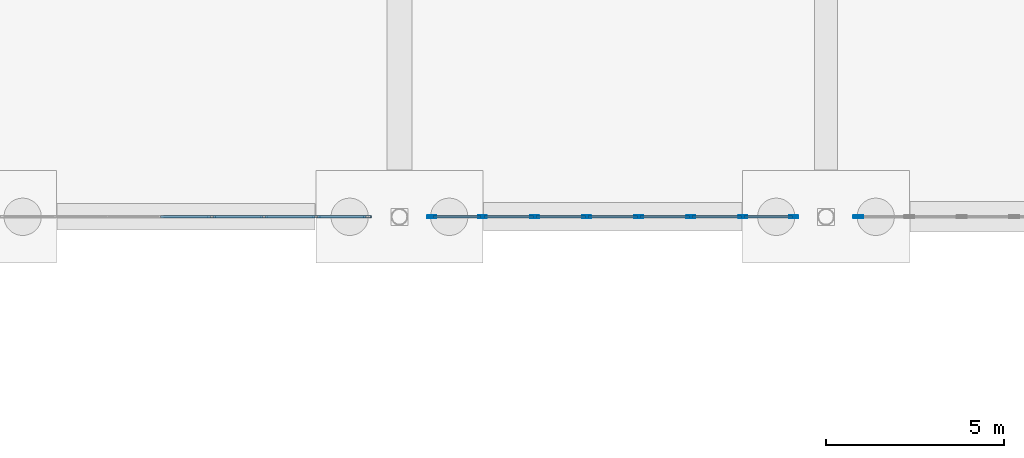
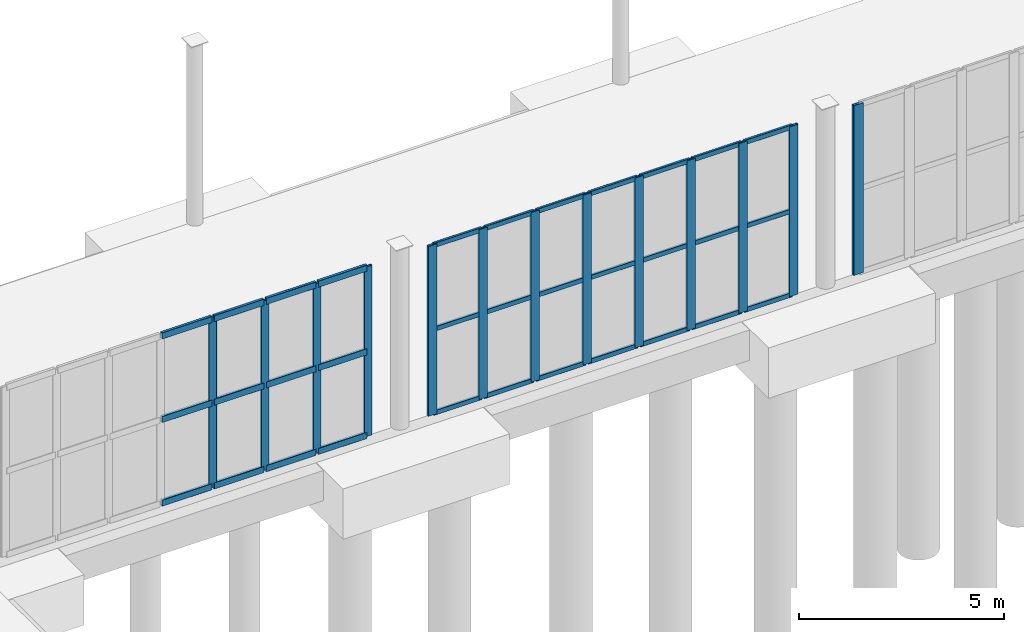
# One storey, part 33 of 70: 46 members, 3 elements without a shape of their own.
"""IFC4 building model written with IfcOpenShell, lengths in metres."""

from ifc_helpers import new_model, si_unit, direction, frame, origin, origin_2d, place, context, subcontext, project, spatial, hollow_rectangle, extrude, material, layer, layer_set, material_profile, profile_set, type_object, element, aggregate, save


model = new_model("IFC4")

# Units and contexts
model_context = context("Model", 3, precision=1e-05, world=origin(), true_north=direction((0.0, 1.0)))
body_context = subcontext(model_context, "Body", "Model", "MODEL_VIEW")
ifc_project = project(units=[si_unit("LENGTHUNIT", "METRE"), si_unit("AREAUNIT", "SQUARE_METRE"), si_unit("VOLUMEUNIT", "CUBIC_METRE"), si_unit("PLANEANGLEUNIT", "RADIAN"), si_unit("MASSUNIT", "GRAM", prefix="KILO")], contexts=[model_context])

# Site, building, storey
site_placement = place(None, origin())
site = spatial("IfcSite", under=ifc_project, at=site_placement, CompositionType="ELEMENT")
building_placement = place(site_placement, origin())
building = spatial("IfcBuilding", under=site, at=building_placement, Name="Brinegate Civic Arena", CompositionType="ELEMENT")
storey_placement = place(building_placement, origin())
storey = spatial("IfcBuildingStorey", under=building, at=storey_placement, Name="L00", CompositionType="ELEMENT", Elevation=0.0)

# Curtain wall, members
ifc_material = material(Name="Marine grade aluminium", Category="aluminium")
ifc_layer = layer(ifc_material, 0.215087890625, Name="Marine grade aluminium")
ifc_layer_set = layer_set([ifc_layer], Name="Marine grade aluminium")
curtain_wall_type = type_object("IfcCurtainWallType", Name="CW-FOYER-GLAZED-02", PredefinedType="USERDEFINED", material=ifc_layer_set)
curtain_wall_1_placement = place(storey_placement, origin())
curtain_wall_1 = element("IfcCurtainWall", 1, at=curtain_wall_1_placement, inside=storey, type_object=curtain_wall_type, Name="Curtain Wall CWA-005", ObjectType="GLAZED CURTAIN WALL", PredefinedType="USERDEFINED")
ifc_material_profile_1 = material_profile(ifc_material, hollow_rectangle(XDim=0.06494140625, YDim=0.219970703125, WallThickness=0.006103515625, InnerFilletRadius=0.00390625, OuterFilletRadius=0.008056640625, at=origin_2d()), Name="MUL65X220")
ifc_profile_set_1 = profile_set([ifc_material_profile_1], Name="Marine grade aluminium")
member_type_1 = type_object("IfcMemberType", Name="CW-MULLION-65X220", PredefinedType="MULLION", material=ifc_profile_set_1)
member_1_placement = place(storey_placement, frame((18.717041015625, 114.0, 0.0), z_axis=(0.0, 0.0, 1.0), x_axis=(0.0, 1.0, 0.0)))
member_1 = element("IfcMember", 2, at=member_1_placement, type_object=member_type_1, Name="CWA-005 mullion 5", PredefinedType="MULLION", context=body_context, shape_type="SweptSolid", body=[
    extrude(hollow_rectangle(XDim=0.06494140625, YDim=0.219970703125, WallThickness=0.006103515625, InnerFilletRadius=0.00390625, OuterFilletRadius=0.008056640625, at=origin_2d()), origin(), (0.0, 0.0, 1.0), 5.06005859375),
])
member_2_placement = place(storey_placement, frame((20.18701171875, 114.0, 0.0), z_axis=(0.0, 0.0, 1.0), x_axis=(0.0, 1.0, 0.0)))
member_2 = element("IfcMember", 3, at=member_2_placement, type_object=member_type_1, Name="CWA-005 mullion 6", PredefinedType="MULLION", context=body_context, shape_type="SweptSolid", body=[
    extrude(hollow_rectangle(XDim=0.06494140625, YDim=0.219970703125, WallThickness=0.006103515625, InnerFilletRadius=0.00390625, OuterFilletRadius=0.008056640625, at=origin_2d()), origin(), (0.0, 0.0, 1.0), 5.06005859375),
])
member_3_placement = place(storey_placement, frame((21.656982421875, 114.0, 0.0), z_axis=(0.0, 0.0, 1.0), x_axis=(0.0, 1.0, 0.0)))
member_3 = element("IfcMember", 4, at=member_3_placement, type_object=member_type_1, Name="CWA-005 mullion 7", PredefinedType="MULLION", context=body_context, shape_type="SweptSolid", body=[
    extrude(hollow_rectangle(XDim=0.06494140625, YDim=0.219970703125, WallThickness=0.006103515625, InnerFilletRadius=0.00390625, OuterFilletRadius=0.008056640625, at=origin_2d()), origin(), (0.0, 0.0, 1.0), 5.06005859375),
])
member_4_placement = place(storey_placement, frame((23.094482421875, 114.0, 0.0), z_axis=(0.0, 0.0, 1.0), x_axis=(0.0, 1.0, 0.0)))
member_4 = element("IfcMember", 5, at=member_4_placement, type_object=member_type_1, Name="CWA-005 mullion 8", PredefinedType="MULLION", context=body_context, shape_type="SweptSolid", body=[
    extrude(hollow_rectangle(XDim=0.06494140625, YDim=0.219970703125, WallThickness=0.006103515625, InnerFilletRadius=0.00390625, OuterFilletRadius=0.008056640625, at=origin_2d()), origin(), (0.0, 0.0, 1.0), 5.06005859375),
])

curtain_wall_2_placement = place(storey_placement, origin())
curtain_wall_2 = element("IfcCurtainWall", 6, at=curtain_wall_2_placement, inside=storey, type_object=curtain_wall_type, Name="Curtain Wall CWA-006", ObjectType="GLAZED CURTAIN WALL", PredefinedType="USERDEFINED")
ifc_material_profile_2 = material_profile(ifc_material, hollow_rectangle(XDim=0.074951171875, YDim=0.25, WallThickness=0.006103515625, InnerFilletRadius=0.00390625, OuterFilletRadius=0.008056640625, at=origin_2d()), Name="MUL75X250")
ifc_profile_set_2 = profile_set([ifc_material_profile_2], Name="Marine grade aluminium")
member_type_2 = type_object("IfcMemberType", Name="CW-MULLION-75X250", PredefinedType="MULLION", material=ifc_profile_set_2)
member_5_placement = place(storey_placement, frame((24.910400390625, 114.0, 0.0), z_axis=(0.0, 0.0, 1.0), x_axis=(0.0, 1.0, 0.0)))
member_5 = element("IfcMember", 7, at=member_5_placement, type_object=member_type_2, Name="CWA-006 mullion 1", PredefinedType="MULLION", context=body_context, shape_type="SweptSolid", body=[
    extrude(hollow_rectangle(XDim=0.074951171875, YDim=0.25, WallThickness=0.006103515625, InnerFilletRadius=0.00390625, OuterFilletRadius=0.008056640625, at=origin_2d()), origin(), (0.0, 0.0, 1.0), 5.06005859375),
])
member_6_placement = place(storey_placement, frame((26.337890625, 114.0, 0.0), z_axis=(0.0, 0.0, 1.0), x_axis=(0.0, 1.0, 0.0)))
member_6 = element("IfcMember", 8, at=member_6_placement, type_object=member_type_2, Name="CWA-006 mullion 2", PredefinedType="MULLION", context=body_context, shape_type="SweptSolid", body=[
    extrude(hollow_rectangle(XDim=0.074951171875, YDim=0.25, WallThickness=0.006103515625, InnerFilletRadius=0.00390625, OuterFilletRadius=0.008056640625, at=origin_2d()), origin(), (0.0, 0.0, 1.0), 5.06005859375),
])
member_7_placement = place(storey_placement, frame((27.802734375, 114.0, 0.0), z_axis=(0.0, 0.0, 1.0), x_axis=(0.0, 1.0, 0.0)))
member_7 = element("IfcMember", 9, at=member_7_placement, type_object=member_type_2, Name="CWA-006 mullion 3", PredefinedType="MULLION", context=body_context, shape_type="SweptSolid", body=[
    extrude(hollow_rectangle(XDim=0.074951171875, YDim=0.25, WallThickness=0.006103515625, InnerFilletRadius=0.00390625, OuterFilletRadius=0.008056640625, at=origin_2d()), origin(), (0.0, 0.0, 1.0), 5.06005859375),
])
member_8_placement = place(storey_placement, frame((29.267578125, 114.0, 0.0), z_axis=(0.0, 0.0, 1.0), x_axis=(0.0, 1.0, 0.0)))
member_8 = element("IfcMember", 10, at=member_8_placement, type_object=member_type_2, Name="CWA-006 mullion 4", PredefinedType="MULLION", context=body_context, shape_type="SweptSolid", body=[
    extrude(hollow_rectangle(XDim=0.074951171875, YDim=0.25, WallThickness=0.006103515625, InnerFilletRadius=0.00390625, OuterFilletRadius=0.008056640625, at=origin_2d()), origin(), (0.0, 0.0, 1.0), 5.06005859375),
])
member_9_placement = place(storey_placement, frame((30.732421875, 114.0, 0.0), z_axis=(0.0, 0.0, 1.0), x_axis=(0.0, 1.0, 0.0)))
member_9 = element("IfcMember", 11, at=member_9_placement, type_object=member_type_2, Name="CWA-006 mullion 5", PredefinedType="MULLION", context=body_context, shape_type="SweptSolid", body=[
    extrude(hollow_rectangle(XDim=0.074951171875, YDim=0.25, WallThickness=0.006103515625, InnerFilletRadius=0.00390625, OuterFilletRadius=0.008056640625, at=origin_2d()), origin(), (0.0, 0.0, 1.0), 5.06005859375),
])
member_10_placement = place(storey_placement, frame((32.197265625, 114.0, 0.0), z_axis=(0.0, 0.0, 1.0), x_axis=(0.0, 1.0, 0.0)))
member_10 = element("IfcMember", 12, at=member_10_placement, type_object=member_type_2, Name="CWA-006 mullion 6", PredefinedType="MULLION", context=body_context, shape_type="SweptSolid", body=[
    extrude(hollow_rectangle(XDim=0.074951171875, YDim=0.25, WallThickness=0.006103515625, InnerFilletRadius=0.00390625, OuterFilletRadius=0.008056640625, at=origin_2d()), origin(), (0.0, 0.0, 1.0), 5.06005859375),
])
member_11_placement = place(storey_placement, frame((33.662109375, 114.0, 0.0), z_axis=(0.0, 0.0, 1.0), x_axis=(0.0, 1.0, 0.0)))
member_11 = element("IfcMember", 13, at=member_11_placement, type_object=member_type_2, Name="CWA-006 mullion 7", PredefinedType="MULLION", context=body_context, shape_type="SweptSolid", body=[
    extrude(hollow_rectangle(XDim=0.074951171875, YDim=0.25, WallThickness=0.006103515625, InnerFilletRadius=0.00390625, OuterFilletRadius=0.008056640625, at=origin_2d()), origin(), (0.0, 0.0, 1.0), 5.06005859375),
])
member_12_placement = place(storey_placement, frame((35.089599609375, 114.0, 0.0), z_axis=(0.0, 0.0, 1.0), x_axis=(0.0, 1.0, 0.0)))
member_12 = element("IfcMember", 14, at=member_12_placement, type_object=member_type_2, Name="CWA-006 mullion 8", PredefinedType="MULLION", context=body_context, shape_type="SweptSolid", body=[
    extrude(hollow_rectangle(XDim=0.074951171875, YDim=0.25, WallThickness=0.006103515625, InnerFilletRadius=0.00390625, OuterFilletRadius=0.008056640625, at=origin_2d()), origin(), (0.0, 0.0, 1.0), 5.06005859375),
])

# Curtain wall, member
curtain_wall_3_placement = place(storey_placement, origin())
curtain_wall_3 = element("IfcCurtainWall", 15, at=curtain_wall_3_placement, inside=storey, type_object=curtain_wall_type, Name="Curtain Wall CWA-007", ObjectType="GLAZED CURTAIN WALL", PredefinedType="USERDEFINED")
ifc_material_profile_3 = material_profile(ifc_material, hollow_rectangle(XDim=0.080078125, YDim=0.280029296875, WallThickness=0.007080078125, InnerFilletRadius=0.0048828125, OuterFilletRadius=0.010009765625, at=origin_2d()), Name="MUL80X280")
ifc_profile_set_3 = profile_set([ifc_material_profile_3], Name="Marine grade aluminium")
member_type_3 = type_object("IfcMemberType", Name="CW-MULLION-80X280", PredefinedType="MULLION", material=ifc_profile_set_3)
member_13_placement = place(storey_placement, frame((36.9130859375, 114.0, 0.0), z_axis=(0.0, 0.0, 1.0), x_axis=(0.0, 1.0, 0.0)))
member_13 = element("IfcMember", 16, at=member_13_placement, type_object=member_type_3, Name="CWA-007 mullion 1", PredefinedType="MULLION", context=body_context, shape_type="SweptSolid", body=[
    extrude(hollow_rectangle(XDim=0.080078125, YDim=0.280029296875, WallThickness=0.007080078125, InnerFilletRadius=0.0048828125, OuterFilletRadius=0.010009765625, at=origin_2d()), origin(), (0.0, 0.0, 1.0), 5.06005859375),
])
aggregate(curtain_wall_3, [member_13])

# Member
ifc_material_profile_4 = material_profile(ifc_material, hollow_rectangle(XDim=0.06494140625, YDim=0.139892578125, WallThickness=0.0048828125, InnerFilletRadius=0.00390625, OuterFilletRadius=0.008056640625, at=origin_2d()), Name="TRN65X140")
ifc_profile_set_4 = profile_set([ifc_material_profile_4], Name="Marine grade aluminium")
member_type_4 = type_object("IfcMemberType", Name="CW-TRANSOM-65X140", PredefinedType="USERDEFINED", material=ifc_profile_set_4)
member_14_placement = place(storey_placement, frame((24.947998046875, 114.0, 0.032470703125), z_axis=(1.0, 0.0, 0.0), x_axis=(0.0, 1.0, 0.0)))
member_14 = element("IfcMember", 17, at=member_14_placement, type_object=member_type_4, Name="CWA-006 transom 1.1", ObjectType="TRANSOM", PredefinedType="USERDEFINED", context=body_context, shape_type="SweptSolid", body=[
    extrude(hollow_rectangle(XDim=0.06494140625, YDim=0.139892578125, WallThickness=0.0048828125, InnerFilletRadius=0.00390625, OuterFilletRadius=0.008056640625, at=origin_2d()), origin(), (0.0, 0.0, 1.0), 1.352294921875),
])

member_15_placement = place(storey_placement, frame((24.947998046875, 114.0, 2.530029296875), z_axis=(1.0, 0.0, 0.0), x_axis=(0.0, 1.0, 0.0)))
member_15 = element("IfcMember", 18, at=member_15_placement, type_object=member_type_4, Name="CWA-006 transom 1.2", ObjectType="TRANSOM", PredefinedType="USERDEFINED", context=body_context, shape_type="SweptSolid", body=[
    extrude(hollow_rectangle(XDim=0.06494140625, YDim=0.139892578125, WallThickness=0.0048828125, InnerFilletRadius=0.00390625, OuterFilletRadius=0.008056640625, at=origin_2d()), origin(), (0.0, 0.0, 1.0), 1.352294921875),
])

member_16_placement = place(storey_placement, frame((24.947998046875, 114.0, 5.027587890625), z_axis=(1.0, 0.0, 0.0), x_axis=(0.0, 1.0, 0.0)))
member_16 = element("IfcMember", 19, at=member_16_placement, type_object=member_type_4, Name="CWA-006 transom 1.3", ObjectType="TRANSOM", PredefinedType="USERDEFINED", context=body_context, shape_type="SweptSolid", body=[
    extrude(hollow_rectangle(XDim=0.06494140625, YDim=0.139892578125, WallThickness=0.0048828125, InnerFilletRadius=0.00390625, OuterFilletRadius=0.008056640625, at=origin_2d()), origin(), (0.0, 0.0, 1.0), 1.352294921875),
])

member_17_placement = place(storey_placement, frame((26.375244140625, 114.0, 0.032470703125), z_axis=(1.0, 0.0, 0.0), x_axis=(0.0, 1.0, 0.0)))
member_17 = element("IfcMember", 20, at=member_17_placement, type_object=member_type_4, Name="CWA-006 transom 2.1", ObjectType="TRANSOM", PredefinedType="USERDEFINED", context=body_context, shape_type="SweptSolid", body=[
    extrude(hollow_rectangle(XDim=0.06494140625, YDim=0.139892578125, WallThickness=0.0048828125, InnerFilletRadius=0.00390625, OuterFilletRadius=0.008056640625, at=origin_2d()), origin(), (0.0, 0.0, 1.0), 1.389892578125),
])

member_18_placement = place(storey_placement, frame((26.375244140625, 114.0, 2.530029296875), z_axis=(1.0, 0.0, 0.0), x_axis=(0.0, 1.0, 0.0)))
member_18 = element("IfcMember", 21, at=member_18_placement, type_object=member_type_4, Name="CWA-006 transom 2.2", ObjectType="TRANSOM", PredefinedType="USERDEFINED", context=body_context, shape_type="SweptSolid", body=[
    extrude(hollow_rectangle(XDim=0.06494140625, YDim=0.139892578125, WallThickness=0.0048828125, InnerFilletRadius=0.00390625, OuterFilletRadius=0.008056640625, at=origin_2d()), origin(), (0.0, 0.0, 1.0), 1.389892578125),
])

member_19_placement = place(storey_placement, frame((26.375244140625, 114.0, 5.027587890625), z_axis=(1.0, 0.0, 0.0), x_axis=(0.0, 1.0, 0.0)))
member_19 = element("IfcMember", 22, at=member_19_placement, type_object=member_type_4, Name="CWA-006 transom 2.3", ObjectType="TRANSOM", PredefinedType="USERDEFINED", context=body_context, shape_type="SweptSolid", body=[
    extrude(hollow_rectangle(XDim=0.06494140625, YDim=0.139892578125, WallThickness=0.0048828125, InnerFilletRadius=0.00390625, OuterFilletRadius=0.008056640625, at=origin_2d()), origin(), (0.0, 0.0, 1.0), 1.389892578125),
])

member_20_placement = place(storey_placement, frame((27.84033203125, 114.0, 0.032470703125), z_axis=(1.0, 0.0, 0.0), x_axis=(0.0, 1.0, 0.0)))
member_20 = element("IfcMember", 23, at=member_20_placement, type_object=member_type_4, Name="CWA-006 transom 3.1", ObjectType="TRANSOM", PredefinedType="USERDEFINED", context=body_context, shape_type="SweptSolid", body=[
    extrude(hollow_rectangle(XDim=0.06494140625, YDim=0.139892578125, WallThickness=0.0048828125, InnerFilletRadius=0.00390625, OuterFilletRadius=0.008056640625, at=origin_2d()), origin(), (0.0, 0.0, 1.0), 1.3896484375),
])

member_21_placement = place(storey_placement, frame((27.84033203125, 114.0, 2.530029296875), z_axis=(1.0, 0.0, 0.0), x_axis=(0.0, 1.0, 0.0)))
member_21 = element("IfcMember", 24, at=member_21_placement, type_object=member_type_4, Name="CWA-006 transom 3.2", ObjectType="TRANSOM", PredefinedType="USERDEFINED", context=body_context, shape_type="SweptSolid", body=[
    extrude(hollow_rectangle(XDim=0.06494140625, YDim=0.139892578125, WallThickness=0.0048828125, InnerFilletRadius=0.00390625, OuterFilletRadius=0.008056640625, at=origin_2d()), origin(), (0.0, 0.0, 1.0), 1.3896484375),
])

member_22_placement = place(storey_placement, frame((27.84033203125, 114.0, 5.027587890625), z_axis=(1.0, 0.0, 0.0), x_axis=(0.0, 1.0, 0.0)))
member_22 = element("IfcMember", 25, at=member_22_placement, type_object=member_type_4, Name="CWA-006 transom 3.3", ObjectType="TRANSOM", PredefinedType="USERDEFINED", context=body_context, shape_type="SweptSolid", body=[
    extrude(hollow_rectangle(XDim=0.06494140625, YDim=0.139892578125, WallThickness=0.0048828125, InnerFilletRadius=0.00390625, OuterFilletRadius=0.008056640625, at=origin_2d()), origin(), (0.0, 0.0, 1.0), 1.3896484375),
])

member_23_placement = place(storey_placement, frame((29.30517578125, 114.0, 0.032470703125), z_axis=(1.0, 0.0, 0.0), x_axis=(0.0, 1.0, 0.0)))
member_23 = element("IfcMember", 26, at=member_23_placement, type_object=member_type_4, Name="CWA-006 transom 4.1", ObjectType="TRANSOM", PredefinedType="USERDEFINED", context=body_context, shape_type="SweptSolid", body=[
    extrude(hollow_rectangle(XDim=0.06494140625, YDim=0.139892578125, WallThickness=0.0048828125, InnerFilletRadius=0.00390625, OuterFilletRadius=0.008056640625, at=origin_2d()), origin(), (0.0, 0.0, 1.0), 1.3896484375),
])

member_24_placement = place(storey_placement, frame((29.30517578125, 114.0, 2.530029296875), z_axis=(1.0, 0.0, 0.0), x_axis=(0.0, 1.0, 0.0)))
member_24 = element("IfcMember", 27, at=member_24_placement, type_object=member_type_4, Name="CWA-006 transom 4.2", ObjectType="TRANSOM", PredefinedType="USERDEFINED", context=body_context, shape_type="SweptSolid", body=[
    extrude(hollow_rectangle(XDim=0.06494140625, YDim=0.139892578125, WallThickness=0.0048828125, InnerFilletRadius=0.00390625, OuterFilletRadius=0.008056640625, at=origin_2d()), origin(), (0.0, 0.0, 1.0), 1.3896484375),
])

member_25_placement = place(storey_placement, frame((29.30517578125, 114.0, 5.027587890625), z_axis=(1.0, 0.0, 0.0), x_axis=(0.0, 1.0, 0.0)))
member_25 = element("IfcMember", 28, at=member_25_placement, type_object=member_type_4, Name="CWA-006 transom 4.3", ObjectType="TRANSOM", PredefinedType="USERDEFINED", context=body_context, shape_type="SweptSolid", body=[
    extrude(hollow_rectangle(XDim=0.06494140625, YDim=0.139892578125, WallThickness=0.0048828125, InnerFilletRadius=0.00390625, OuterFilletRadius=0.008056640625, at=origin_2d()), origin(), (0.0, 0.0, 1.0), 1.3896484375),
])

member_26_placement = place(storey_placement, frame((30.77001953125, 114.0, 0.032470703125), z_axis=(1.0, 0.0, 0.0), x_axis=(0.0, 1.0, 0.0)))
member_26 = element("IfcMember", 29, at=member_26_placement, type_object=member_type_4, Name="CWA-006 transom 5.1", ObjectType="TRANSOM", PredefinedType="USERDEFINED", context=body_context, shape_type="SweptSolid", body=[
    extrude(hollow_rectangle(XDim=0.06494140625, YDim=0.139892578125, WallThickness=0.0048828125, InnerFilletRadius=0.00390625, OuterFilletRadius=0.008056640625, at=origin_2d()), origin(), (0.0, 0.0, 1.0), 1.3896484375),
])

member_27_placement = place(storey_placement, frame((30.77001953125, 114.0, 2.530029296875), z_axis=(1.0, 0.0, 0.0), x_axis=(0.0, 1.0, 0.0)))
member_27 = element("IfcMember", 30, at=member_27_placement, type_object=member_type_4, Name="CWA-006 transom 5.2", ObjectType="TRANSOM", PredefinedType="USERDEFINED", context=body_context, shape_type="SweptSolid", body=[
    extrude(hollow_rectangle(XDim=0.06494140625, YDim=0.139892578125, WallThickness=0.0048828125, InnerFilletRadius=0.00390625, OuterFilletRadius=0.008056640625, at=origin_2d()), origin(), (0.0, 0.0, 1.0), 1.3896484375),
])

member_28_placement = place(storey_placement, frame((30.77001953125, 114.0, 5.027587890625), z_axis=(1.0, 0.0, 0.0), x_axis=(0.0, 1.0, 0.0)))
member_28 = element("IfcMember", 31, at=member_28_placement, type_object=member_type_4, Name="CWA-006 transom 5.3", ObjectType="TRANSOM", PredefinedType="USERDEFINED", context=body_context, shape_type="SweptSolid", body=[
    extrude(hollow_rectangle(XDim=0.06494140625, YDim=0.139892578125, WallThickness=0.0048828125, InnerFilletRadius=0.00390625, OuterFilletRadius=0.008056640625, at=origin_2d()), origin(), (0.0, 0.0, 1.0), 1.3896484375),
])

member_29_placement = place(storey_placement, frame((32.23486328125, 114.0, 0.032470703125), z_axis=(1.0, 0.0, 0.0), x_axis=(0.0, 1.0, 0.0)))
member_29 = element("IfcMember", 32, at=member_29_placement, type_object=member_type_4, Name="CWA-006 transom 6.1", ObjectType="TRANSOM", PredefinedType="USERDEFINED", context=body_context, shape_type="SweptSolid", body=[
    extrude(hollow_rectangle(XDim=0.06494140625, YDim=0.139892578125, WallThickness=0.0048828125, InnerFilletRadius=0.00390625, OuterFilletRadius=0.008056640625, at=origin_2d()), origin(), (0.0, 0.0, 1.0), 1.389892578125),
])

member_30_placement = place(storey_placement, frame((32.23486328125, 114.0, 2.530029296875), z_axis=(1.0, 0.0, 0.0), x_axis=(0.0, 1.0, 0.0)))
member_30 = element("IfcMember", 33, at=member_30_placement, type_object=member_type_4, Name="CWA-006 transom 6.2", ObjectType="TRANSOM", PredefinedType="USERDEFINED", context=body_context, shape_type="SweptSolid", body=[
    extrude(hollow_rectangle(XDim=0.06494140625, YDim=0.139892578125, WallThickness=0.0048828125, InnerFilletRadius=0.00390625, OuterFilletRadius=0.008056640625, at=origin_2d()), origin(), (0.0, 0.0, 1.0), 1.389892578125),
])

member_31_placement = place(storey_placement, frame((32.23486328125, 114.0, 5.027587890625), z_axis=(1.0, 0.0, 0.0), x_axis=(0.0, 1.0, 0.0)))
member_31 = element("IfcMember", 34, at=member_31_placement, type_object=member_type_4, Name="CWA-006 transom 6.3", ObjectType="TRANSOM", PredefinedType="USERDEFINED", context=body_context, shape_type="SweptSolid", body=[
    extrude(hollow_rectangle(XDim=0.06494140625, YDim=0.139892578125, WallThickness=0.0048828125, InnerFilletRadius=0.00390625, OuterFilletRadius=0.008056640625, at=origin_2d()), origin(), (0.0, 0.0, 1.0), 1.389892578125),
])

member_32_placement = place(storey_placement, frame((33.69970703125, 114.0, 0.032470703125), z_axis=(1.0, 0.0, 0.0), x_axis=(0.0, 1.0, 0.0)))
member_32 = element("IfcMember", 35, at=member_32_placement, type_object=member_type_4, Name="CWA-006 transom 7.1", ObjectType="TRANSOM", PredefinedType="USERDEFINED", context=body_context, shape_type="SweptSolid", body=[
    extrude(hollow_rectangle(XDim=0.06494140625, YDim=0.139892578125, WallThickness=0.0048828125, InnerFilletRadius=0.00390625, OuterFilletRadius=0.008056640625, at=origin_2d()), origin(), (0.0, 0.0, 1.0), 1.352294921875),
])

member_33_placement = place(storey_placement, frame((33.69970703125, 114.0, 2.530029296875), z_axis=(1.0, 0.0, 0.0), x_axis=(0.0, 1.0, 0.0)))
member_33 = element("IfcMember", 36, at=member_33_placement, type_object=member_type_4, Name="CWA-006 transom 7.2", ObjectType="TRANSOM", PredefinedType="USERDEFINED", context=body_context, shape_type="SweptSolid", body=[
    extrude(hollow_rectangle(XDim=0.06494140625, YDim=0.139892578125, WallThickness=0.0048828125, InnerFilletRadius=0.00390625, OuterFilletRadius=0.008056640625, at=origin_2d()), origin(), (0.0, 0.0, 1.0), 1.352294921875),
])

member_34_placement = place(storey_placement, frame((33.69970703125, 114.0, 5.027587890625), z_axis=(1.0, 0.0, 0.0), x_axis=(0.0, 1.0, 0.0)))
member_34 = element("IfcMember", 37, at=member_34_placement, type_object=member_type_4, Name="CWA-006 transom 7.3", ObjectType="TRANSOM", PredefinedType="USERDEFINED", context=body_context, shape_type="SweptSolid", body=[
    extrude(hollow_rectangle(XDim=0.06494140625, YDim=0.139892578125, WallThickness=0.0048828125, InnerFilletRadius=0.00390625, OuterFilletRadius=0.008056640625, at=origin_2d()), origin(), (0.0, 0.0, 1.0), 1.352294921875),
])

aggregate(curtain_wall_2, [member_5, member_6, member_7, member_8, member_9, member_10, member_11, member_12, member_14, member_15, member_16, member_17, member_18, member_19, member_20, member_21, member_22, member_23, member_24, member_25, member_26, member_27, member_28, member_29, member_30, member_31, member_32, member_33, member_34])

ifc_material_profile_5 = material_profile(ifc_material, hollow_rectangle(XDim=0.074951171875, YDim=0.18994140625, WallThickness=0.006103515625, InnerFilletRadius=0.00390625, OuterFilletRadius=0.008056640625, at=origin_2d()), Name="TRN75X190")
ifc_profile_set_5 = profile_set([ifc_material_profile_5], Name="Marine grade aluminium")
member_type_5 = type_object("IfcMemberType", Name="CW-TRANSOM-75X190", PredefinedType="USERDEFINED", material=ifc_profile_set_5)
member_35_placement = place(storey_placement, frame((17.279541015625, 114.0, 0.03759765625), z_axis=(1.0, 0.0, 0.0), x_axis=(0.0, 1.0, 0.0)))
member_35 = element("IfcMember", 38, at=member_35_placement, type_object=member_type_5, Name="CWA-005 transom 4.1", ObjectType="TRANSOM", PredefinedType="USERDEFINED", context=body_context, shape_type="SweptSolid", body=[
    extrude(hollow_rectangle(XDim=0.074951171875, YDim=0.18994140625, WallThickness=0.006103515625, InnerFilletRadius=0.00390625, OuterFilletRadius=0.008056640625, at=origin_2d()), origin(), (0.0, 0.0, 1.0), 1.405029296875),
])

member_36_placement = place(storey_placement, frame((17.279541015625, 114.0, 2.530029296875), z_axis=(1.0, 0.0, 0.0), x_axis=(0.0, 1.0, 0.0)))
member_36 = element("IfcMember", 39, at=member_36_placement, type_object=member_type_5, Name="CWA-005 transom 4.2", ObjectType="TRANSOM", PredefinedType="USERDEFINED", context=body_context, shape_type="SweptSolid", body=[
    extrude(hollow_rectangle(XDim=0.074951171875, YDim=0.18994140625, WallThickness=0.006103515625, InnerFilletRadius=0.00390625, OuterFilletRadius=0.008056640625, at=origin_2d()), origin(), (0.0, 0.0, 1.0), 1.405029296875),
])

member_37_placement = place(storey_placement, frame((17.279541015625, 114.0, 5.0224609375), z_axis=(1.0, 0.0, 0.0), x_axis=(0.0, 1.0, 0.0)))
member_37 = element("IfcMember", 40, at=member_37_placement, type_object=member_type_5, Name="CWA-005 transom 4.3", ObjectType="TRANSOM", PredefinedType="USERDEFINED", context=body_context, shape_type="SweptSolid", body=[
    extrude(hollow_rectangle(XDim=0.074951171875, YDim=0.18994140625, WallThickness=0.006103515625, InnerFilletRadius=0.00390625, OuterFilletRadius=0.008056640625, at=origin_2d()), origin(), (0.0, 0.0, 1.0), 1.405029296875),
])

member_38_placement = place(storey_placement, frame((18.74951171875, 114.0, 0.03759765625), z_axis=(1.0, 0.0, 0.0), x_axis=(0.0, 1.0, 0.0)))
member_38 = element("IfcMember", 41, at=member_38_placement, type_object=member_type_5, Name="CWA-005 transom 5.1", ObjectType="TRANSOM", PredefinedType="USERDEFINED", context=body_context, shape_type="SweptSolid", body=[
    extrude(hollow_rectangle(XDim=0.074951171875, YDim=0.18994140625, WallThickness=0.006103515625, InnerFilletRadius=0.00390625, OuterFilletRadius=0.008056640625, at=origin_2d()), origin(), (0.0, 0.0, 1.0), 1.405029296875),
])

member_39_placement = place(storey_placement, frame((18.74951171875, 114.0, 2.530029296875), z_axis=(1.0, 0.0, 0.0), x_axis=(0.0, 1.0, 0.0)))
member_39 = element("IfcMember", 42, at=member_39_placement, type_object=member_type_5, Name="CWA-005 transom 5.2", ObjectType="TRANSOM", PredefinedType="USERDEFINED", context=body_context, shape_type="SweptSolid", body=[
    extrude(hollow_rectangle(XDim=0.074951171875, YDim=0.18994140625, WallThickness=0.006103515625, InnerFilletRadius=0.00390625, OuterFilletRadius=0.008056640625, at=origin_2d()), origin(), (0.0, 0.0, 1.0), 1.405029296875),
])

member_40_placement = place(storey_placement, frame((18.74951171875, 114.0, 5.0224609375), z_axis=(1.0, 0.0, 0.0), x_axis=(0.0, 1.0, 0.0)))
member_40 = element("IfcMember", 43, at=member_40_placement, type_object=member_type_5, Name="CWA-005 transom 5.3", ObjectType="TRANSOM", PredefinedType="USERDEFINED", context=body_context, shape_type="SweptSolid", body=[
    extrude(hollow_rectangle(XDim=0.074951171875, YDim=0.18994140625, WallThickness=0.006103515625, InnerFilletRadius=0.00390625, OuterFilletRadius=0.008056640625, at=origin_2d()), origin(), (0.0, 0.0, 1.0), 1.405029296875),
])

member_41_placement = place(storey_placement, frame((20.219482421875, 114.0, 0.03759765625), z_axis=(1.0, 0.0, 0.0), x_axis=(0.0, 1.0, 0.0)))
member_41 = element("IfcMember", 44, at=member_41_placement, type_object=member_type_5, Name="CWA-005 transom 6.1", ObjectType="TRANSOM", PredefinedType="USERDEFINED", context=body_context, shape_type="SweptSolid", body=[
    extrude(hollow_rectangle(XDim=0.074951171875, YDim=0.18994140625, WallThickness=0.006103515625, InnerFilletRadius=0.00390625, OuterFilletRadius=0.008056640625, at=origin_2d()), origin(), (0.0, 0.0, 1.0), 1.405029296875),
])

member_42_placement = place(storey_placement, frame((20.219482421875, 114.0, 2.530029296875), z_axis=(1.0, 0.0, 0.0), x_axis=(0.0, 1.0, 0.0)))
member_42 = element("IfcMember", 45, at=member_42_placement, type_object=member_type_5, Name="CWA-005 transom 6.2", ObjectType="TRANSOM", PredefinedType="USERDEFINED", context=body_context, shape_type="SweptSolid", body=[
    extrude(hollow_rectangle(XDim=0.074951171875, YDim=0.18994140625, WallThickness=0.006103515625, InnerFilletRadius=0.00390625, OuterFilletRadius=0.008056640625, at=origin_2d()), origin(), (0.0, 0.0, 1.0), 1.405029296875),
])

member_43_placement = place(storey_placement, frame((20.219482421875, 114.0, 5.0224609375), z_axis=(1.0, 0.0, 0.0), x_axis=(0.0, 1.0, 0.0)))
member_43 = element("IfcMember", 46, at=member_43_placement, type_object=member_type_5, Name="CWA-005 transom 6.3", ObjectType="TRANSOM", PredefinedType="USERDEFINED", context=body_context, shape_type="SweptSolid", body=[
    extrude(hollow_rectangle(XDim=0.074951171875, YDim=0.18994140625, WallThickness=0.006103515625, InnerFilletRadius=0.00390625, OuterFilletRadius=0.008056640625, at=origin_2d()), origin(), (0.0, 0.0, 1.0), 1.405029296875),
])

member_44_placement = place(storey_placement, frame((21.689453125, 114.0, 0.03759765625), z_axis=(1.0, 0.0, 0.0), x_axis=(0.0, 1.0, 0.0)))
member_44 = element("IfcMember", 47, at=member_44_placement, type_object=member_type_5, Name="CWA-005 transom 7.1", ObjectType="TRANSOM", PredefinedType="USERDEFINED", context=body_context, shape_type="SweptSolid", body=[
    extrude(hollow_rectangle(XDim=0.074951171875, YDim=0.18994140625, WallThickness=0.006103515625, InnerFilletRadius=0.00390625, OuterFilletRadius=0.008056640625, at=origin_2d()), origin(), (0.0, 0.0, 1.0), 1.37255859375),
])

member_45_placement = place(storey_placement, frame((21.689453125, 114.0, 2.530029296875), z_axis=(1.0, 0.0, 0.0), x_axis=(0.0, 1.0, 0.0)))
member_45 = element("IfcMember", 48, at=member_45_placement, type_object=member_type_5, Name="CWA-005 transom 7.2", ObjectType="TRANSOM", PredefinedType="USERDEFINED", context=body_context, shape_type="SweptSolid", body=[
    extrude(hollow_rectangle(XDim=0.074951171875, YDim=0.18994140625, WallThickness=0.006103515625, InnerFilletRadius=0.00390625, OuterFilletRadius=0.008056640625, at=origin_2d()), origin(), (0.0, 0.0, 1.0), 1.37255859375),
])

member_46_placement = place(storey_placement, frame((21.689453125, 114.0, 5.0224609375), z_axis=(1.0, 0.0, 0.0), x_axis=(0.0, 1.0, 0.0)))
member_46 = element("IfcMember", 49, at=member_46_placement, type_object=member_type_5, Name="CWA-005 transom 7.3", ObjectType="TRANSOM", PredefinedType="USERDEFINED", context=body_context, shape_type="SweptSolid", body=[
    extrude(hollow_rectangle(XDim=0.074951171875, YDim=0.18994140625, WallThickness=0.006103515625, InnerFilletRadius=0.00390625, OuterFilletRadius=0.008056640625, at=origin_2d()), origin(), (0.0, 0.0, 1.0), 1.37255859375),
])

aggregate(curtain_wall_1, [member_1, member_2, member_3, member_4, member_35, member_36, member_37, member_38, member_39, member_40, member_41, member_42, member_43, member_44, member_45, member_46])

save(model, "model.ifc")
